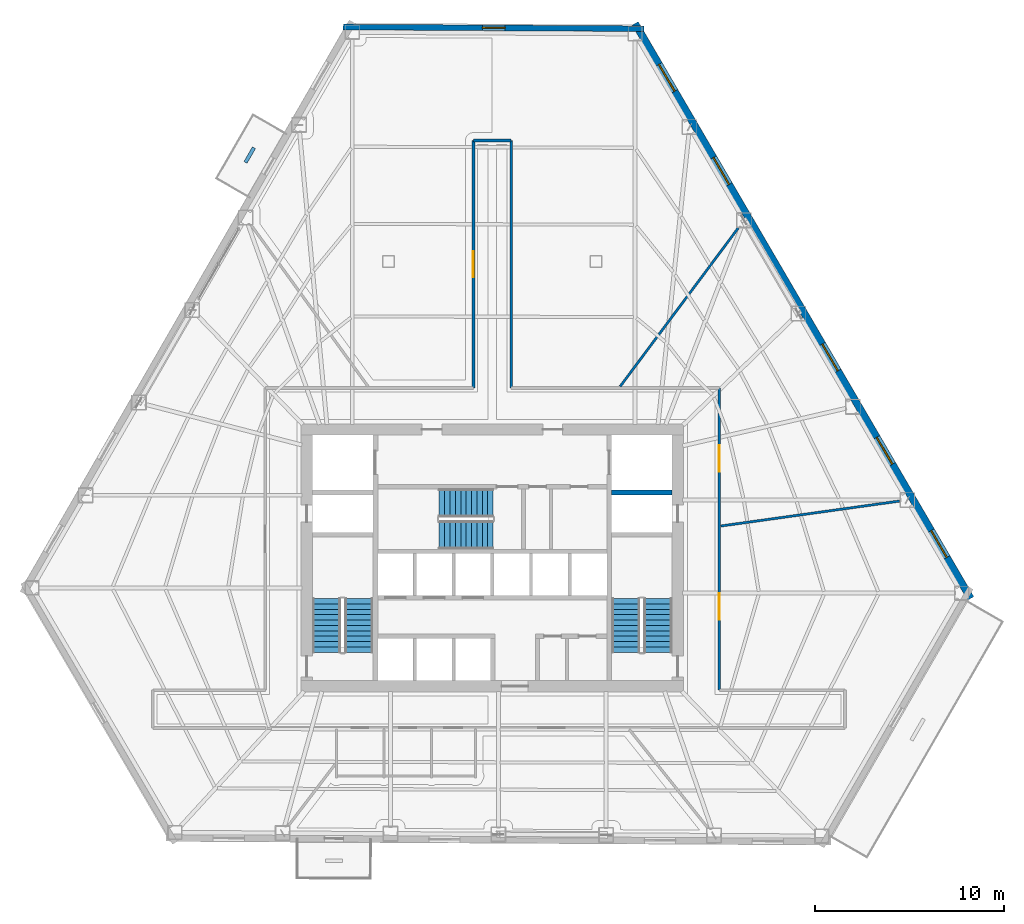
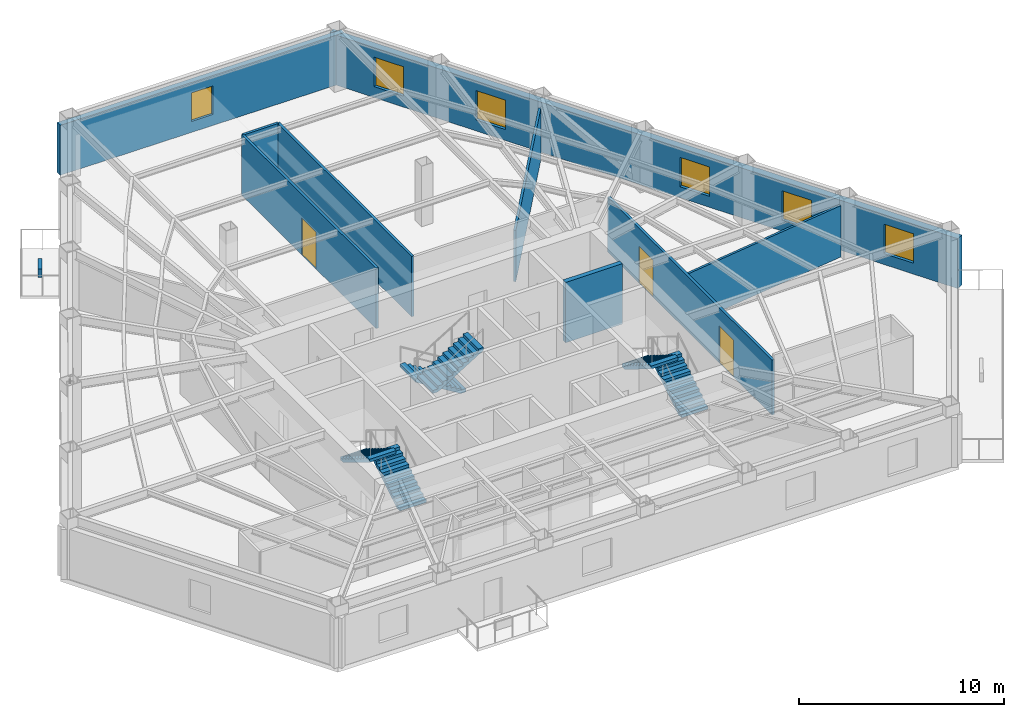
# One storey, part 12 of 16: 10 walls, 6 stair flights, 6 windows, 3 doors, 9 openings, 3 elements without a shape of their own.
"""IFC4 building model written with IfcOpenShell, lengths in metres."""

from ifc_helpers import new_model, si_unit, direction, frame, frame_2d, origin, place, context, subcontext, project, spatial, polyline, rectangle, outline, extrude, material, layer, layer_set, type_object, element, fill, aggregate, save


model = new_model("IFC4")

# Units and contexts
model_context = context("Model", 3, precision=1e-05, world=origin(), true_north=direction((0.0, 1.0)))
body_context = subcontext(model_context, "Body", "Model", "MODEL_VIEW")
ifc_project = project(units=[si_unit("LENGTHUNIT", "METRE"), si_unit("AREAUNIT", "SQUARE_METRE"), si_unit("VOLUMEUNIT", "CUBIC_METRE"), si_unit("PLANEANGLEUNIT", "RADIAN"), si_unit("MASSUNIT", "GRAM", prefix="KILO")], contexts=[model_context])

# Site, building, storey
site_placement = place(None, origin())
site = spatial("IfcSite", under=ifc_project, at=site_placement, CompositionType="ELEMENT")
building_placement = place(site_placement, origin())
building = spatial("IfcBuilding", under=site, at=building_placement, Name="Kavelnor Concourse Tower", CompositionType="ELEMENT")
storey_placement = place(building_placement, frame((0.0, 0.0, 48.35009765625)))
storey = spatial("IfcBuildingStorey", under=building, at=storey_placement, Name="L12", CompositionType="ELEMENT", Elevation=48.35009765625)

# Wall, opening, window
ifc_material_1 = material(Name="Buff ironspot clay face brick masonry", Category="masonry")
ifc_layer_1 = layer(ifc_material_1, 0.300048828125, Name="Buff ironspot clay face brick masonry")
ifc_layer_set_1 = layer_set([ifc_layer_1], Name="Buff ironspot clay face brick masonry")
wall_type_1 = type_object("IfcWallType", Name="WL-EXT-BUFF-BRICK-FOLD-300", PredefinedType="STANDARD", material=ifc_layer_set_1)
wall_1_placement = place(storey_placement, frame((30.107177734375, 44.21240234375, 0.0), z_axis=(0.0, 0.0, 1.0), x_axis=(0.999984446961, -0.005577260644, 0.0)))
wall_1 = element("IfcWall", 1, at=wall_1_placement, inside=storey, type_object=wall_type_1, Name="L12 Exterior Brick Facade Wall E0", PredefinedType="STANDARD", context=body_context, shape_type="SweptSolid", body=[
    extrude(rectangle(XDim=15.933837890625, YDim=0.300048828125, at=frame_2d((7.966796875, 0.0))), origin(), (0.0, 0.0, 1.0), 2.969970703125),
])
opening_1_placement = place(wall_1_placement, frame((7.366943359375, 0.0, 0.64990234375)))
opening_1 = element("IfcOpeningElement", 2, at=opening_1_placement, cuts=wall_1, Name="Opening W-05", PredefinedType="OPENING", context=body_context, shape_type="SweptSolid", body=[
    extrude(rectangle(XDim=1.199951171875, YDim=1.699951171875, at=frame_2d((0.60009765625, 0.85009765625))), frame((0.0, 0.16015625, 0.0), z_axis=(0.0, -1.0, 0.0), x_axis=(1.0, 0.0, 0.0)), (0.0, 0.0, 1.0), 0.320068359375),
])
ifc_material_2 = material(Name="Double low-E argon insulated glazing", Category="glass")
window_type_1 = type_object("IfcWindowType", Name="WIN-FOLD-1200", PartitioningType="SINGLE_PANEL", PredefinedType="WINDOW", material=ifc_material_2)
window_1_placement = place(opening_1_placement, origin())
window_1 = element("IfcWindow", 3, at=window_1_placement, inside=storey, type_object=window_type_1, Name="L12 Chamfer-Fold Facet Window C0", OverallHeight=1.699951171875, OverallWidth=1.199951171875, PartitioningType="SINGLE_PANEL", PredefinedType="WINDOW", context=body_context, shape_type="SweptSolid", body=[
    extrude(rectangle(XDim=1.199951171875, YDim=1.699951171875, at=frame_2d((0.60009765625, 0.85009765625))), frame((0.0, 0.030029296875, 0.0), z_axis=(0.0, -1.0, 0.0), x_axis=(1.0, 0.0, 0.0)), (0.0, 0.0, 1.0), 0.06005859375),
])
fill(opening_1, window_1)

# Wall, openings, windows
ifc_material_3 = material(Name="Red-ochre clay face brick masonry", Category="masonry")
ifc_layer_2 = layer(ifc_material_3, 0.3798828125, Name="Red-ochre clay face brick masonry")
ifc_layer_set_2 = layer_set([ifc_layer_2], Name="Red-ochre clay face brick masonry")
wall_type_2 = type_object("IfcWallType", Name="WL-EXT-RED-BRICK-PIER-380", PredefinedType="STANDARD", material=ifc_layer_set_2)
wall_2_placement = place(storey_placement, frame((45.559814453125, 44.401611328125, 0.0), z_axis=(0.0, 0.0, 1.0), x_axis=(0.504140111044, -0.86362187816, 0.0)))
wall_2 = element("IfcWall", 4, at=wall_2_placement, inside=storey, type_object=wall_type_2, Name="L12 Exterior Brick Facade Wall E5", PredefinedType="STANDARD", context=body_context, shape_type="SweptSolid", body=[
    extrude(rectangle(XDim=35.25439453125, YDim=0.3798828125, at=frame_2d((17.627197265625, 0.0))), origin(), (0.0, 0.0, 1.0), 2.969970703125),
])
opening_2_placement = place(wall_2_placement, frame((31.092529296875, 0.0, 0.64990234375)))
opening_2 = element("IfcOpeningElement", 5, at=opening_2_placement, cuts=wall_2, Name="Opening W-01", PredefinedType="OPENING", context=body_context, shape_type="SweptSolid", body=[
    extrude(rectangle(XDim=1.64990234375, YDim=1.75, at=frame_2d((0.824951171875, 0.875))), frame((0.0, 0.199951171875, 0.0), z_axis=(0.0, -1.0, 0.0), x_axis=(1.0, 0.0, 0.0)), (0.0, 0.0, 1.0), 0.39990234375),
])
opening_3_placement = place(wall_2_placement, frame((25.37548828125, 0.0, 0.64990234375)))
opening_3 = element("IfcOpeningElement", 6, at=opening_3_placement, cuts=wall_2, Name="Opening W-01", PredefinedType="OPENING", context=body_context, shape_type="SweptSolid", body=[
    extrude(rectangle(XDim=1.64990234375, YDim=1.75, at=frame_2d((0.824951171875, 0.875))), frame((0.0, 0.199951171875, 0.0), z_axis=(0.0, -1.0, 0.0), x_axis=(1.0, 0.0, 0.0)), (0.0, 0.0, 1.0), 0.39990234375),
])
opening_4_placement = place(wall_2_placement, frame((19.658447265625, 0.0, 0.64990234375)))
opening_4 = element("IfcOpeningElement", 7, at=opening_4_placement, cuts=wall_2, Name="Opening W-01", PredefinedType="OPENING", context=body_context, shape_type="SweptSolid", body=[
    extrude(rectangle(XDim=1.64990234375, YDim=1.75, at=frame_2d((0.824951171875, 0.875))), frame((0.0, 0.199951171875, 0.0), z_axis=(0.0, -1.0, 0.0), x_axis=(1.0, 0.0, 0.0)), (0.0, 0.0, 1.0), 0.39990234375),
])
opening_5_placement = place(wall_2_placement, frame((8.224365234375, 0.0, 0.64990234375)))
opening_5 = element("IfcOpeningElement", 8, at=opening_5_placement, cuts=wall_2, Name="Opening W-01", PredefinedType="OPENING", context=body_context, shape_type="SweptSolid", body=[
    extrude(rectangle(XDim=1.64990234375, YDim=1.75, at=frame_2d((0.824951171875, 0.875))), frame((0.0, 0.199951171875, 0.0), z_axis=(0.0, -1.0, 0.0), x_axis=(1.0, 0.0, 0.0)), (0.0, 0.0, 1.0), 0.39990234375),
])
opening_6_placement = place(wall_2_placement, frame((2.50732421875, 0.0, 0.64990234375)))
opening_6 = element("IfcOpeningElement", 9, at=opening_6_placement, cuts=wall_2, Name="Opening W-01", PredefinedType="OPENING", context=body_context, shape_type="SweptSolid", body=[
    extrude(rectangle(XDim=1.64990234375, YDim=1.75, at=frame_2d((0.824951171875, 0.875))), frame((0.0, 0.199951171875, 0.0), z_axis=(0.0, -1.0, 0.0), x_axis=(1.0, 0.0, 0.0)), (0.0, 0.0, 1.0), 0.39990234375),
])
window_type_2 = type_object("IfcWindowType", Name="WIN-PIER-Z1-1800", PartitioningType="SINGLE_PANEL", PredefinedType="WINDOW", material=ifc_material_2)
window_2_placement = place(opening_2_placement, origin())
window_2 = element("IfcWindow", 10, at=window_2_placement, inside=storey, type_object=window_type_2, Name="L12 Deep-Set Brick Pier Window F2-B0", OverallHeight=1.75, OverallWidth=1.64990234375, PartitioningType="SINGLE_PANEL", PredefinedType="WINDOW", context=body_context, shape_type="SweptSolid", body=[
    extrude(rectangle(XDim=1.64990234375, YDim=1.75, at=frame_2d((0.824951171875, 0.875))), frame((0.0, 0.030029296875, 0.0), z_axis=(0.0, -1.0, 0.0), x_axis=(1.0, 0.0, 0.0)), (0.0, 0.0, 1.0), 0.06005859375),
])
fill(opening_2, window_2)
window_3_placement = place(opening_3_placement, origin())
window_3 = element("IfcWindow", 11, at=window_3_placement, inside=storey, type_object=window_type_2, Name="L12 Deep-Set Brick Pier Window F2-B1", OverallHeight=1.75, OverallWidth=1.64990234375, PartitioningType="SINGLE_PANEL", PredefinedType="WINDOW", context=body_context, shape_type="SweptSolid", body=[
    extrude(rectangle(XDim=1.64990234375, YDim=1.75, at=frame_2d((0.824951171875, 0.875))), frame((0.0, 0.030029296875, 0.0), z_axis=(0.0, -1.0, 0.0), x_axis=(1.0, 0.0, 0.0)), (0.0, 0.0, 1.0), 0.06005859375),
])
fill(opening_3, window_3)
window_4_placement = place(opening_4_placement, origin())
window_4 = element("IfcWindow", 12, at=window_4_placement, inside=storey, type_object=window_type_2, Name="L12 Deep-Set Brick Pier Window F2-B2", OverallHeight=1.75, OverallWidth=1.64990234375, PartitioningType="SINGLE_PANEL", PredefinedType="WINDOW", context=body_context, shape_type="SweptSolid", body=[
    extrude(rectangle(XDim=1.64990234375, YDim=1.75, at=frame_2d((0.824951171875, 0.875))), frame((0.0, 0.030029296875, 0.0), z_axis=(0.0, -1.0, 0.0), x_axis=(1.0, 0.0, 0.0)), (0.0, 0.0, 1.0), 0.06005859375),
])
fill(opening_4, window_4)
window_5_placement = place(opening_5_placement, origin())
window_5 = element("IfcWindow", 13, at=window_5_placement, inside=storey, type_object=window_type_2, Name="L12 Deep-Set Brick Pier Window F2-B4", OverallHeight=1.75, OverallWidth=1.64990234375, PartitioningType="SINGLE_PANEL", PredefinedType="WINDOW", context=body_context, shape_type="SweptSolid", body=[
    extrude(rectangle(XDim=1.64990234375, YDim=1.75, at=frame_2d((0.824951171875, 0.875))), frame((0.0, 0.030029296875, 0.0), z_axis=(0.0, -1.0, 0.0), x_axis=(1.0, 0.0, 0.0)), (0.0, 0.0, 1.0), 0.06005859375),
])
fill(opening_5, window_5)
window_6_placement = place(opening_6_placement, origin())
window_6 = element("IfcWindow", 14, at=window_6_placement, inside=storey, type_object=window_type_2, Name="L12 Deep-Set Brick Pier Window F2-B5", OverallHeight=1.75, OverallWidth=1.64990234375, PartitioningType="SINGLE_PANEL", PredefinedType="WINDOW", context=body_context, shape_type="SweptSolid", body=[
    extrude(rectangle(XDim=1.64990234375, YDim=1.75, at=frame_2d((0.824951171875, 0.875))), frame((0.0, 0.030029296875, 0.0), z_axis=(0.0, -1.0, 0.0), x_axis=(1.0, 0.0, 0.0)), (0.0, 0.0, 1.0), 0.06005859375),
])
fill(opening_6, window_6)

# Wall, opening, door
ifc_material_4 = material(Name="Gypsum plasterboard on light-gauge steel studs", Category="steel")
ifc_layer_3 = layer(ifc_material_4, 0.14501953125, Name="Gypsum plasterboard on light-gauge steel studs")
ifc_layer_set_3 = layer_set([ifc_layer_3], Name="Gypsum plasterboard on light-gauge steel studs")
wall_type_3 = type_object("IfcWallType", Name="WL-INT-CORR-145", PredefinedType="PARTITIONING", material=ifc_layer_set_3)
wall_3_placement = place(storey_placement, frame((37.0, 25.10009765625, 0.0), z_axis=(0.0, 0.0, 1.0), x_axis=(0.0, 1.0, 0.0)))
wall_3 = element("IfcWall", 15, at=wall_3_placement, inside=storey, type_object=wall_type_3, Name="L12 Corridor Wall WL-L12-CR-04", PredefinedType="PARTITIONING", context=body_context, shape_type="SweptSolid", body=[
    extrude(rectangle(XDim=13.099853515625, YDim=0.14501953125, at=frame_2d((6.5498046875, 0.0))), origin(), (0.0, 0.0, 1.0), 3.58984375),
])
opening_7_placement = place(wall_3_placement, frame((5.85009765625, 0.0, 0.0)))
opening_7 = element("IfcOpeningElement", 16, at=opening_7_placement, cuts=wall_3, Name="Opening SD-140", PredefinedType="OPENING", context=body_context, shape_type="SweptSolid", body=[
    extrude(rectangle(XDim=1.39990234375, YDim=2.199951171875, at=frame_2d((0.699951171875, 1.10009765625))), frame((0.0, 0.08251953125, 0.0), z_axis=(0.0, -1.0, 0.0), x_axis=(1.0, 0.0, 0.0)), (0.0, 0.0, 1.0), 0.1650390625),
])
ifc_material_5 = material(Name="Solid-core hardwood timber", Category="wood")
door_type = type_object("IfcDoorType", Name="DR-SUITE-ENTRY-1400", OperationType="NOTDEFINED", PredefinedType="DOOR", material=ifc_material_5)
door_1_placement = place(opening_7_placement, origin())
door_1 = element("IfcDoor", 17, at=door_1_placement, inside=storey, type_object=door_type, Name="L12 Staff Breakout Pantry 02 Door", OperationType="SINGLE_SWING_LEFT", OverallHeight=2.199951171875, OverallWidth=1.39990234375, PredefinedType="DOOR", context=body_context, shape_type="SweptSolid", body=[
    extrude(rectangle(XDim=1.39990234375, YDim=2.199951171875, at=frame_2d((0.699951171875, 1.10009765625))), frame((0.0, 0.02490234375, 0.0), z_axis=(0.0, -1.0, 0.0), x_axis=(1.0, 0.0, 0.0)), (0.0, 0.0, 1.0), 0.050048828125),
])
fill(opening_7, door_1)

# Walls
wall_4_placement = place(storey_placement, frame((37.0, 38.199951171875, 0.0), z_axis=(0.0, 0.0, 1.0), x_axis=(1.0, 0.0, 0.0)))
element("IfcWall", 18, at=wall_4_placement, inside=storey, type_object=wall_type_3, Name="L12 Corridor Wall WL-L12-CR-05", PredefinedType="PARTITIONING", context=body_context, shape_type="SweptSolid", body=[
    extrude(rectangle(XDim=2.0, YDim=0.14501953125, at=frame_2d((1.0, 0.0))), origin(), (0.0, 0.0, 1.0), 3.58984375),
])
wall_5_placement = place(storey_placement, frame((39.0, 38.199951171875, 0.0), z_axis=(0.0, 0.0, 1.0), x_axis=(0.0, -1.0, 0.0)))
element("IfcWall", 19, at=wall_5_placement, inside=storey, type_object=wall_type_3, Name="L12 Corridor Wall WL-L12-CR-06", PredefinedType="PARTITIONING", context=body_context, shape_type="SweptSolid", body=[
    extrude(rectangle(XDim=13.099853515625, YDim=0.14501953125, at=frame_2d((6.5498046875, 0.0))), origin(), (0.0, 0.0, 1.0), 3.58984375),
])

# Wall, openings, doors
wall_6_placement = place(storey_placement, frame((50.02001953125, 25.10009765625, 0.0), z_axis=(0.0, 0.0, 1.0), x_axis=(0.0, -1.0, 0.0)))
wall_6 = element("IfcWall", 20, at=wall_6_placement, inside=storey, type_object=wall_type_3, Name="L12 Corridor Wall WL-L12-CR-08", PredefinedType="PARTITIONING", context=body_context, shape_type="SweptSolid", body=[
    extrude(rectangle(XDim=16.0, YDim=0.14501953125, at=frame_2d((8.0, 0.0))), origin(), (0.0, 0.0, 1.0), 3.27783203125),
])
opening_8_placement = place(wall_6_placement, frame((3.0400390625, 0.0, 0.0)))
opening_8 = element("IfcOpeningElement", 21, at=opening_8_placement, cuts=wall_6, Name="Opening SD-140", PredefinedType="OPENING", context=body_context, shape_type="SweptSolid", body=[
    extrude(rectangle(XDim=1.39990234375, YDim=2.199951171875, at=frame_2d((0.699951171875, 1.10009765625))), frame((0.0, 0.08251953125, 0.0), z_axis=(0.0, -1.0, 0.0), x_axis=(1.0, 0.0, 0.0)), (0.0, 0.0, 1.0), 0.1650390625),
])
opening_9_placement = place(wall_6_placement, frame((10.869384765625, 0.0, 0.0)))
opening_9 = element("IfcOpeningElement", 22, at=opening_9_placement, cuts=wall_6, Name="Opening SD-140", PredefinedType="OPENING", context=body_context, shape_type="SweptSolid", body=[
    extrude(rectangle(XDim=1.39990234375, YDim=2.199951171875, at=frame_2d((0.699951171875, 1.10009765625))), frame((0.0, 0.08251953125, 0.0), z_axis=(0.0, -1.0, 0.0), x_axis=(1.0, 0.0, 0.0)), (0.0, 0.0, 1.0), 0.1650390625),
])
door_2_placement = place(opening_8_placement, origin())
door_2 = element("IfcDoor", 23, at=door_2_placement, inside=storey, type_object=door_type, Name="L12 Executive Dining Room 01 Door", OperationType="SINGLE_SWING_RIGHT", OverallHeight=2.199951171875, OverallWidth=1.39990234375, PredefinedType="DOOR", context=body_context, shape_type="SweptSolid", body=[
    extrude(rectangle(XDim=1.39990234375, YDim=2.199951171875, at=frame_2d((0.699951171875, 1.10009765625))), frame((0.0, 0.02490234375, 0.0), z_axis=(0.0, -1.0, 0.0), x_axis=(1.0, 0.0, 0.0)), (0.0, 0.0, 1.0), 0.050048828125),
])
fill(opening_8, door_2)
door_3_placement = place(opening_9_placement, origin())
door_3 = element("IfcDoor", 24, at=door_3_placement, inside=storey, type_object=door_type, Name="L12 Executive Dining Room 05 Door", OperationType="SINGLE_SWING_RIGHT", OverallHeight=2.199951171875, OverallWidth=1.39990234375, PredefinedType="DOOR", context=body_context, shape_type="SweptSolid", body=[
    extrude(rectangle(XDim=1.39990234375, YDim=2.199951171875, at=frame_2d((0.699951171875, 1.10009765625))), frame((0.0, 0.02490234375, 0.0), z_axis=(0.0, -1.0, 0.0), x_axis=(1.0, 0.0, 0.0)), (0.0, 0.0, 1.0), 0.050048828125),
])
fill(opening_9, door_3)

# Walls
ifc_layer_4 = layer(ifc_material_4, 0.125, Name="Gypsum plasterboard on light-gauge steel studs")
ifc_layer_set_4 = layer_set([ifc_layer_4], Name="Gypsum plasterboard on light-gauge steel studs")
wall_type_4 = type_object("IfcWallType", Name="WL-INT-SUITE-125", PredefinedType="PARTITIONING", material=ifc_layer_set_4)
wall_7_placement = place(storey_placement, frame((50.1005859375, 17.7900390625, 0.0), z_axis=(0.0, 0.0, 1.0), x_axis=(0.99038797962, 0.138317207262, 0.0)))
element("IfcWall", 25, at=wall_7_placement, inside=storey, type_object=wall_type_4, Name="L12 Radial Suite Partition 01", PredefinedType="PARTITIONING", context=body_context, shape_type="SweptSolid", body=[
    extrude(rectangle(XDim=9.5595703125, YDim=0.125, at=frame_2d((4.77978515625, 0.0))), origin(), (0.0, 0.0, 1.0), 3.056884765625),
])
wall_8_placement = place(storey_placement, frame((44.76904296875, 25.180419921875, 0.0), z_axis=(0.0, 0.0, 1.0), x_axis=(0.597661555118, 0.801748505165, 0.0)))
element("IfcWall", 26, at=wall_8_placement, inside=storey, type_object=wall_type_4, Name="L12 Radial Suite Partition 02", PredefinedType="PARTITIONING", context=body_context, shape_type="SweptSolid", body=[
    extrude(rectangle(XDim=10.468505859375, YDim=0.125, at=frame_2d((5.234375, 0.0))), origin(), (0.0, 0.0, 1.0), 3.056884765625),
])
ifc_material_6 = material(Name="Architectural precast planter concrete C40/50", Category="concrete")
ifc_layer_5 = layer(ifc_material_6, 0.18994140625, Name="Architectural precast planter concrete C40/50")
ifc_layer_set_5 = layer_set([ifc_layer_5], Name="Architectural precast planter concrete C40/50")
wall_type_5 = type_object("IfcWallType", Name="WL-PLANTER-KERB-190", PredefinedType="USERDEFINED", material=ifc_layer_set_5)
wall_9_placement = place(storey_placement, frame((25.37939453125, 37.8212890625, 0.0), z_axis=(0.0, 0.0, 1.0), x_axis=(-0.499174352876, -0.866501566895, 0.0)))
element("IfcWall", 27, at=wall_9_placement, inside=storey, type_object=wall_type_5, Name="L12 Tree Balcony 1 Tree Planter Kerb", ObjectType="PLANTER", PredefinedType="USERDEFINED", context=body_context, shape_type="SweptSolid", body=[
    extrude(rectangle(XDim=0.89990234375, YDim=0.18994140625, at=frame_2d((0.449951171875, 0.0))), origin(), (0.0, 0.0, 1.0), 0.5),
])
ifc_material_7 = material(Name="Concrete C50/60", Category="concrete")
ifc_layer_6 = layer(ifc_material_7, 0.260009765625, Name="Concrete C50/60")
ifc_layer_set_6 = layer_set([ifc_layer_6], Name="Concrete C50/60")
wall_type_6 = type_object("IfcWallType", Name="WL-SHAFT-260", PredefinedType="SHEAR", material=ifc_layer_set_6)
wall_10_placement = place(storey_placement, frame((44.320068359375, 19.570068359375, 0.0), z_axis=(0.0, 0.0, 1.0), x_axis=(1.0, 0.0, 0.0)))
element("IfcWall", 28, at=wall_10_placement, inside=storey, type_object=wall_type_6, Name="L12 Emergency Lift FL2 South Shaft Wall", PredefinedType="SHEAR", context=body_context, shape_type="SweptSolid", body=[
    extrude(rectangle(XDim=3.199951171875, YDim=0.260009765625, at=frame_2d((1.60009765625, 0.0))), origin(), (0.0, 0.0, 1.0), 3.58984375),
])

# Stair, stair flights
ifc_material_8 = material(Name="Concrete C40/50", Category="concrete")
stair_type = type_object("IfcStairType", Name="STR-CORE-1500", PredefinedType="HALF_TURN_STAIR", material=ifc_material_8)
stair_1_placement = place(storey_placement, origin())
stair_1 = element("IfcStair", 29, at=stair_1_placement, inside=storey, type_object=stair_type, Name="L12 ST1", PredefinedType="HALF_TURN_STAIR")
stair_flight_type = type_object("IfcStairFlightType", Name="STR-FLIGHT-1500", PredefinedType="STRAIGHT", material=ifc_material_8)
stair_flight_1_placement = place(storey_placement, frame((30.929931640625, 11.10009765625, 0.0), z_axis=(0.0, 0.0, 1.0), x_axis=(0.0, 1.0, 0.0)))
stair_flight_1 = element("IfcStairFlight", 30, at=stair_flight_1_placement, type_object=stair_flight_type, Name="ST1 flight 1", NumberOfRisers=11, NumberOfTreads=10, PredefinedType="STRAIGHT", RiserHeight=0.175, TreadLength=0.285, context=body_context, shape_type="SweptSolid", body=[
    extrude(outline(polyline([(0.0, 0.0), (0.0, 0.175048828125), (0.284912109375, 0.175048828125), (0.284912109375, 0.35009765625), (0.570068359375, 0.35009765625), (0.570068359375, 0.52490234375), (0.85498046875, 0.52490234375), (0.85498046875, 0.699951171875), (1.139892578125, 0.699951171875), (1.139892578125, 0.875), (1.425048828125, 0.875), (1.425048828125, 1.050048828125), (1.7099609375, 1.050048828125), (1.7099609375, 1.22509765625), (1.9951171875, 1.22509765625), (1.9951171875, 1.39990234375), (2.280029296875, 1.39990234375), (2.280029296875, 1.574951171875), (2.56494140625, 1.574951171875), (2.56494140625, 1.75), (2.85009765625, 1.75), (2.85009765625, 1.925048828125), (2.85009765625, 1.573974609375), (0.286376953125, 0.0), (0.0, 0.0)])), frame((0.0, 0.75, 0.0), z_axis=(0.0, -1.0, 0.0), x_axis=(1.0, 0.0, 0.0)), (0.0, 0.0, 1.0), 1.5),
])
stair_flight_2_placement = place(storey_placement, frame((29.22998046875, 13.949951171875, 1.9248046875), z_axis=(0.0, 0.0, 1.0), x_axis=(0.0, -1.0, 0.0)))
stair_flight_2 = element("IfcStairFlight", 31, at=stair_flight_2_placement, type_object=stair_flight_type, Name="ST1 flight 2", NumberOfRisers=11, NumberOfTreads=10, PredefinedType="STRAIGHT", RiserHeight=0.175, TreadLength=0.285, context=body_context, shape_type="SweptSolid", body=[
    extrude(outline(polyline([(0.0, 0.0), (0.0, 0.175048828125), (0.284912109375, 0.175048828125), (0.284912109375, 0.35009765625), (0.570068359375, 0.35009765625), (0.570068359375, 0.52490234375), (0.85498046875, 0.52490234375), (0.85498046875, 0.699951171875), (1.139892578125, 0.699951171875), (1.139892578125, 0.875), (1.425048828125, 0.875), (1.425048828125, 1.050048828125), (1.7099609375, 1.050048828125), (1.7099609375, 1.22509765625), (1.9951171875, 1.22509765625), (1.9951171875, 1.39990234375), (2.280029296875, 1.39990234375), (2.280029296875, 1.574951171875), (2.56494140625, 1.574951171875), (2.56494140625, 1.75), (2.85009765625, 1.75), (2.85009765625, 1.925048828125), (2.85009765625, 1.573974609375), (0.286376953125, 0.0), (0.0, 0.0)])), frame((0.0, 0.75, 0.0), z_axis=(0.0, -1.0, 0.0), x_axis=(1.0, 0.0, 0.0)), (0.0, 0.0, 1.0), 1.5),
])
aggregate(stair_1, [stair_flight_1, stair_flight_2])

stair_2_placement = place(storey_placement, origin())
stair_2 = element("IfcStair", 32, at=stair_2_placement, inside=storey, type_object=stair_type, Name="L12 ST2", PredefinedType="HALF_TURN_STAIR")
stair_flight_3_placement = place(storey_placement, frame((46.77001953125, 11.10009765625, 0.0), z_axis=(0.0, 0.0, 1.0), x_axis=(0.0, 1.0, 0.0)))
stair_flight_3 = element("IfcStairFlight", 33, at=stair_flight_3_placement, type_object=stair_flight_type, Name="ST2 flight 1", NumberOfRisers=11, NumberOfTreads=10, PredefinedType="STRAIGHT", RiserHeight=0.175, TreadLength=0.285, context=body_context, shape_type="SweptSolid", body=[
    extrude(outline(polyline([(0.0, 0.0), (0.0, 0.175048828125), (0.284912109375, 0.175048828125), (0.284912109375, 0.35009765625), (0.570068359375, 0.35009765625), (0.570068359375, 0.52490234375), (0.85498046875, 0.52490234375), (0.85498046875, 0.699951171875), (1.139892578125, 0.699951171875), (1.139892578125, 0.875), (1.425048828125, 0.875), (1.425048828125, 1.050048828125), (1.7099609375, 1.050048828125), (1.7099609375, 1.22509765625), (1.9951171875, 1.22509765625), (1.9951171875, 1.39990234375), (2.280029296875, 1.39990234375), (2.280029296875, 1.574951171875), (2.56494140625, 1.574951171875), (2.56494140625, 1.75), (2.85009765625, 1.75), (2.85009765625, 1.925048828125), (2.85009765625, 1.573974609375), (0.286376953125, 0.0), (0.0, 0.0)])), frame((0.0, 0.75, 0.0), z_axis=(0.0, -1.0, 0.0), x_axis=(1.0, 0.0, 0.0)), (0.0, 0.0, 1.0), 1.5),
])
stair_flight_4_placement = place(storey_placement, frame((45.070068359375, 13.949951171875, 1.9248046875), z_axis=(0.0, 0.0, 1.0), x_axis=(0.0, -1.0, 0.0)))
stair_flight_4 = element("IfcStairFlight", 34, at=stair_flight_4_placement, type_object=stair_flight_type, Name="ST2 flight 2", NumberOfRisers=11, NumberOfTreads=10, PredefinedType="STRAIGHT", RiserHeight=0.175, TreadLength=0.285, context=body_context, shape_type="SweptSolid", body=[
    extrude(outline(polyline([(0.0, 0.0), (0.0, 0.175048828125), (0.284912109375, 0.175048828125), (0.284912109375, 0.35009765625), (0.570068359375, 0.35009765625), (0.570068359375, 0.52490234375), (0.85498046875, 0.52490234375), (0.85498046875, 0.699951171875), (1.139892578125, 0.699951171875), (1.139892578125, 0.875), (1.425048828125, 0.875), (1.425048828125, 1.050048828125), (1.7099609375, 1.050048828125), (1.7099609375, 1.22509765625), (1.9951171875, 1.22509765625), (1.9951171875, 1.39990234375), (2.280029296875, 1.39990234375), (2.280029296875, 1.574951171875), (2.56494140625, 1.574951171875), (2.56494140625, 1.75), (2.85009765625, 1.75), (2.85009765625, 1.925048828125), (2.85009765625, 1.573974609375), (0.286376953125, 0.0), (0.0, 0.0)])), frame((0.0, 0.75, 0.0), z_axis=(0.0, -1.0, 0.0), x_axis=(1.0, 0.0, 0.0)), (0.0, 0.0, 1.0), 1.5),
])
aggregate(stair_2, [stair_flight_3, stair_flight_4])

stair_3_placement = place(storey_placement, origin())
stair_3 = element("IfcStair", 35, at=stair_3_placement, inside=storey, type_object=stair_type, Name="L12 ST3", PredefinedType="HALF_TURN_STAIR")
stair_flight_5_placement = place(storey_placement, frame((38.0400390625, 19.010009765625, 0.0), z_axis=(0.0, 0.0, 1.0), x_axis=(-1.0, 0.0, 0.0)))
stair_flight_5 = element("IfcStairFlight", 36, at=stair_flight_5_placement, type_object=stair_flight_type, Name="ST3 flight 1", NumberOfRisers=11, NumberOfTreads=10, PredefinedType="STRAIGHT", RiserHeight=0.175, TreadLength=0.285, context=body_context, shape_type="SweptSolid", body=[
    extrude(outline(polyline([(0.0, 0.0), (0.0, 0.175048828125), (0.284912109375, 0.175048828125), (0.284912109375, 0.35009765625), (0.570068359375, 0.35009765625), (0.570068359375, 0.52490234375), (0.85498046875, 0.52490234375), (0.85498046875, 0.699951171875), (1.139892578125, 0.699951171875), (1.139892578125, 0.875), (1.425048828125, 0.875), (1.425048828125, 1.050048828125), (1.7099609375, 1.050048828125), (1.7099609375, 1.22509765625), (1.9951171875, 1.22509765625), (1.9951171875, 1.39990234375), (2.280029296875, 1.39990234375), (2.280029296875, 1.574951171875), (2.56494140625, 1.574951171875), (2.56494140625, 1.75), (2.85009765625, 1.75), (2.85009765625, 1.925048828125), (2.85009765625, 1.573974609375), (0.286376953125, 0.0), (0.0, 0.0)])), frame((0.0, 0.75, 0.0), z_axis=(0.0, -1.0, 0.0), x_axis=(1.0, 0.0, 0.0)), (0.0, 0.0, 1.0), 1.5),
])
stair_flight_6_placement = place(storey_placement, frame((35.18994140625, 17.31005859375, 1.9248046875), z_axis=(0.0, 0.0, 1.0), x_axis=(1.0, 0.0, 0.0)))
stair_flight_6 = element("IfcStairFlight", 37, at=stair_flight_6_placement, type_object=stair_flight_type, Name="ST3 flight 2", NumberOfRisers=11, NumberOfTreads=10, PredefinedType="STRAIGHT", RiserHeight=0.175, TreadLength=0.285, context=body_context, shape_type="SweptSolid", body=[
    extrude(outline(polyline([(0.0, 0.0), (0.0, 0.175048828125), (0.284912109375, 0.175048828125), (0.284912109375, 0.35009765625), (0.570068359375, 0.35009765625), (0.570068359375, 0.52490234375), (0.85498046875, 0.52490234375), (0.85498046875, 0.699951171875), (1.139892578125, 0.699951171875), (1.139892578125, 0.875), (1.425048828125, 0.875), (1.425048828125, 1.050048828125), (1.7099609375, 1.050048828125), (1.7099609375, 1.22509765625), (1.9951171875, 1.22509765625), (1.9951171875, 1.39990234375), (2.280029296875, 1.39990234375), (2.280029296875, 1.574951171875), (2.56494140625, 1.574951171875), (2.56494140625, 1.75), (2.85009765625, 1.75), (2.85009765625, 1.925048828125), (2.85009765625, 1.573974609375), (0.286376953125, 0.0), (0.0, 0.0)])), frame((0.0, 0.75, 0.0), z_axis=(0.0, -1.0, 0.0), x_axis=(1.0, 0.0, 0.0)), (0.0, 0.0, 1.0), 1.5),
])
aggregate(stair_3, [stair_flight_5, stair_flight_6])

save(model, "model.ifc")
